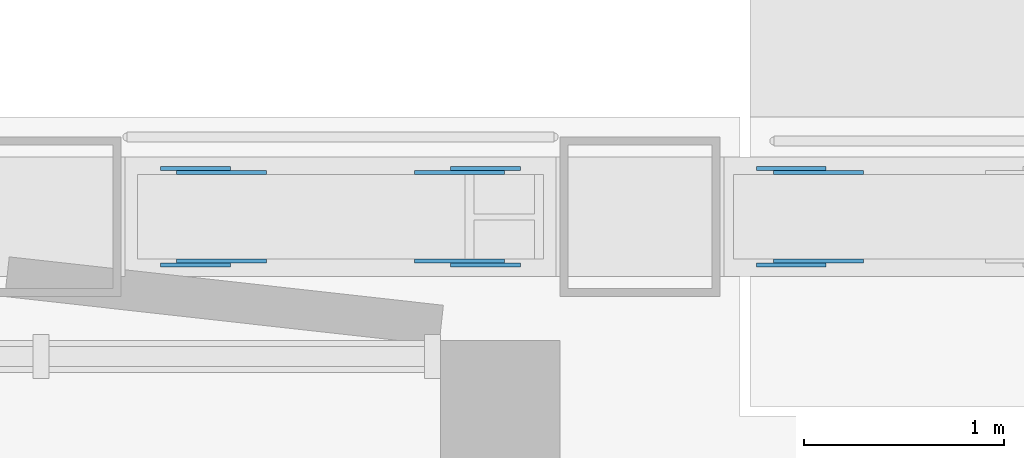
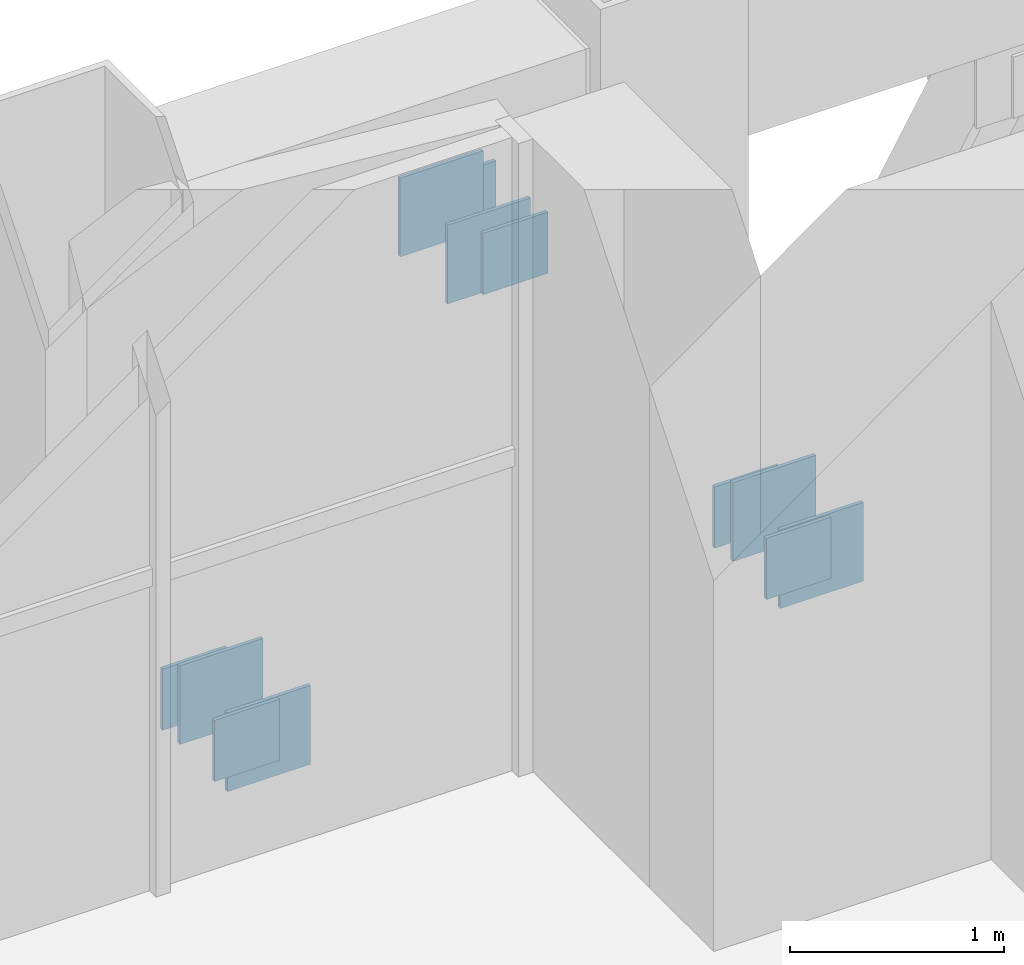
# One storey, part 20 of 25: 12 discrete accessories.
"""IFC4 building model written with IfcOpenShell, lengths in metres."""

from ifc_helpers import new_model, si_unit, direction, frame, origin, origin_2d, place, context, subcontext, project, spatial, rectangle, extrude, element, save


model = new_model("IFC4")

# Units and contexts
model_context = context("Model", 3, precision=1e-05, world=origin(), true_north=direction((0.0, 1.0)))
body_context = subcontext(model_context, "Body", "Model", "MODEL_VIEW")
ifc_project = project(units=[si_unit("LENGTHUNIT", "METRE"), si_unit("AREAUNIT", "SQUARE_METRE"), si_unit("VOLUMEUNIT", "CUBIC_METRE"), si_unit("PLANEANGLEUNIT", "RADIAN"), si_unit("MASSUNIT", "GRAM", prefix="KILO")], contexts=[model_context])

# Site, building, storey
site_placement = place(None, origin())
site = spatial("IfcSite", under=ifc_project, at=site_placement, CompositionType="ELEMENT")
building_placement = place(site_placement, origin())
building = spatial("IfcBuilding", under=site, at=building_placement, Name="Vidyagriha Tower", CompositionType="ELEMENT")
storey_placement = place(building_placement, frame((0.0, 0.0, 115.89990234375)))
storey = spatial("IfcBuildingStorey", under=building, at=storey_placement, Name="L29", CompositionType="ELEMENT", Elevation=115.89990234375)

# Discrete accessories
for number, where, name in (
    (1, (26.90478515625, 19.721923828125, 0.0), "Truss gusset plate ASTM A572 Grade 50 20mm"),
    (2, (26.90478515625, 19.278076171875, 0.0), "Truss gusset plate ASTM A572 Grade 50 20mm"),
    (3, (28.09521484375, 19.721923828125, 2.3701171875), "Truss gusset plate ASTM A572 Grade 50 20mm"),
    (4, (28.09521484375, 19.278076171875, 2.3701171875), "Truss gusset plate ASTM A572 Grade 50 20mm"),
    (5, (29.893798828125, 19.721923828125, 0.0), "Truss gusset plate ASTM A572 Grade 50 20mm"),
    (6, (29.893798828125, 19.278076171875, 0.0), "Truss gusset plate ASTM A572 Grade 50 20mm"),
):
    element("IfcDiscreteAccessory", number, at=place(storey_placement, frame(where)), inside=storey, Name=name, ObjectType="GUSSET PLATE", PredefinedType="USERDEFINED", context=body_context, shape_type="SweptSolid", body=[
        extrude(rectangle(XDim=0.449951171875, YDim=0.02001953125, at=origin_2d()), origin(), (0.0, 0.0, 1.0), 0.449951171875),
    ])
for number, where, z_axis, x_axis, name in (
    (7, (26.77392578125, 19.257568359375, 0.09765625), (0.0, 0.0, 1.0), (-1.0, 0.0, 0.0), "End plate ASTM A572 Grade 50 20mm"),
    (8, (26.77392578125, 19.742431640625, 0.09765625), (0.0, 0.0, 1.0), (-1.0, 0.0, 0.0), "End plate ASTM A572 Grade 50 20mm"),
):
    element("IfcDiscreteAccessory", number, at=place(storey_placement, frame(where, z_axis=z_axis, x_axis=x_axis)), inside=storey, Name=name, ObjectType="END PLATE", PredefinedType="USERDEFINED", context=body_context, shape_type="SweptSolid", body=[
        extrude(rectangle(XDim=0.35009765625, YDim=0.02001953125, at=origin_2d()), origin(), (0.0, 0.0, 1.0), 0.35009765625),
    ])
for number, where, name in (
    (9, (28.22607421875, 19.742431640625, 2.37255859375), "End plate ASTM A572 Grade 50 20mm"),
    (10, (28.22607421875, 19.257568359375, 2.37255859375), "End plate ASTM A572 Grade 50 20mm"),
):
    element("IfcDiscreteAccessory", number, at=place(storey_placement, frame(where)), inside=storey, Name=name, ObjectType="END PLATE", PredefinedType="USERDEFINED", context=body_context, shape_type="SweptSolid", body=[
        extrude(rectangle(XDim=0.35009765625, YDim=0.02001953125, at=origin_2d()), origin(), (0.0, 0.0, 1.0), 0.35009765625),
    ])
for number, where, z_axis, x_axis, name in (
    (11, (29.757080078125, 19.257568359375, 0.093505859375), (0.0, 0.0, 1.0), (-1.0, 0.0, 0.0), "End plate ASTM A572 Grade 50 20mm"),
    (12, (29.757080078125, 19.742431640625, 0.093505859375), (0.0, 0.0, 1.0), (-1.0, 0.0, 0.0), "End plate ASTM A572 Grade 50 20mm"),
):
    element("IfcDiscreteAccessory", number, at=place(storey_placement, frame(where, z_axis=z_axis, x_axis=x_axis)), inside=storey, Name=name, ObjectType="END PLATE", PredefinedType="USERDEFINED", context=body_context, shape_type="SweptSolid", body=[
        extrude(rectangle(XDim=0.35009765625, YDim=0.02001953125, at=origin_2d()), origin(), (0.0, 0.0, 1.0), 0.35009765625),
    ])

save(model, "model.ifc")
